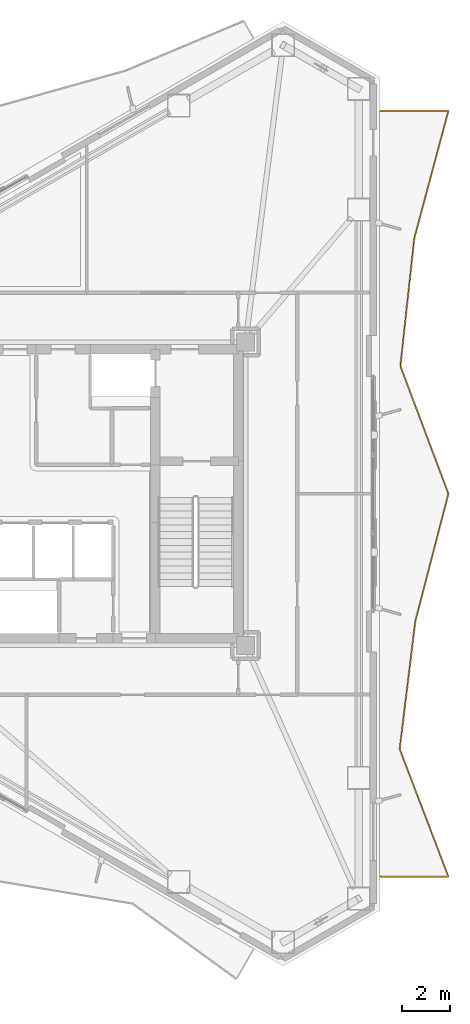
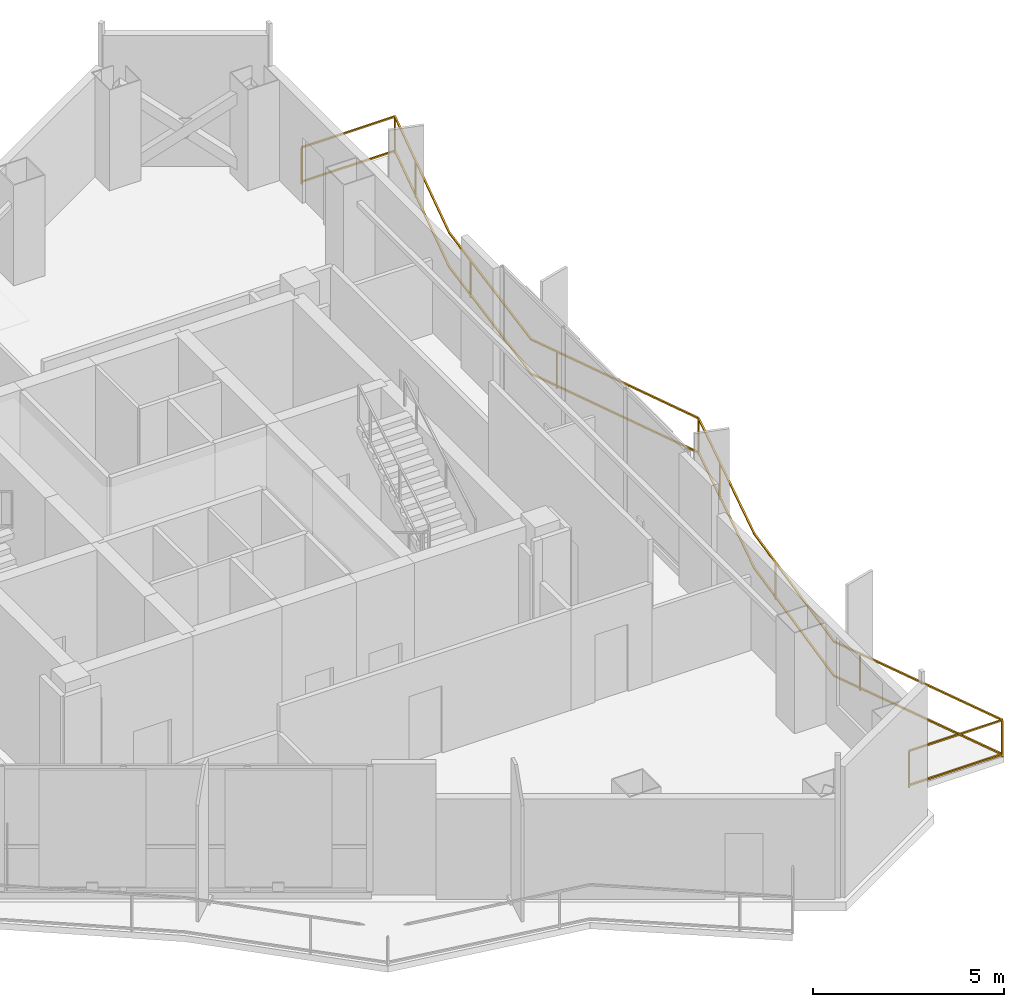
# One storey, part 18 of 18: 1 railing.
"""IFC4 building model written with IfcOpenShell, lengths in metres."""

import ifcopenshell
import ifcopenshell.guid

model = None  # the IFC model being written
_history = None  # IfcOwnerHistory: only IFC2X3 demands one
_inside = {}  # id of a spatial element -> (the spatial element, [elements in it])
_under = {}  # id of a project, library or spatial element -> (it, [spatial elements below it])
_declared = {}  # id of a project -> (the project, [libraries it declares])
_typed = {}  # id of a type object -> (the type object, [elements of that type])
_made_of = {}  # id of a material, layer set ... -> (it, [elements and type objects made of it])


def new_model(schema):
    """Start an empty IFC model of exactly this schema.

    Asked for "IFC4X3", IfcOpenShell would pick the latest addendum, in which some entities
    have other attributes; the version numbers below select the first issue.
    IFC2X3 requires an IfcOwnerHistory on every rooted entity: one is made here for all.
    """
    global model, _history
    if schema == "IFC4X3":
        model = ifcopenshell.file(schema_version=(4, 3, 0, 0))
    else:
        model = ifcopenshell.file(schema=schema)
    _inside.clear()
    _under.clear()
    _declared.clear()
    _typed.clear()
    _made_of.clear()
    _history = None
    if model.schema == "IFC2X3":
        org = make("IfcOrganization", Name="unknown")
        user = make(
            "IfcPersonAndOrganization",
            ThePerson=make("IfcPerson", FamilyName="unknown"),
            TheOrganization=org,
        )
        app = make(
            "IfcApplication",
            ApplicationDeveloper=org,
            Version="unknown",
            ApplicationFullName="unknown",
            ApplicationIdentifier="unknown",
        )
        _history = make(
            "IfcOwnerHistory",
            OwningUser=user,
            OwningApplication=app,
            ChangeAction="ADDED",
            CreationDate=0,
        )
    return model


def make(cls, **values):
    """One entity of the class cls with the attributes given. An attribute that is None is left unset."""
    return model.create_entity(
        cls, **{name: value for name, value in values.items() if value is not None}
    )


def rooted(cls, **values):
    """An entity with a GlobalId (a new one), such as an element, a storey or a relation."""
    return make(cls, GlobalId=ifcopenshell.guid.new(), OwnerHistory=_history, **values)


def si_unit(unit_type, name, prefix=None):
    """IfcSIUnit, for example si_unit("LENGTHUNIT", "METRE", prefix="MILLI")."""
    return make("IfcSIUnit", UnitType=unit_type, Prefix=prefix, Name=name)


def assignment(units):
    """IfcUnitAssignment: the units of a project."""
    return None if units is None else make("IfcUnitAssignment", Units=units)


def point(xyz):
    """IfcCartesianPoint."""
    return None if xyz is None else make("IfcCartesianPoint", Coordinates=xyz)


def direction(xyz):
    """IfcDirection."""
    return None if xyz is None else make("IfcDirection", DirectionRatios=xyz)


def frame(location, z_axis=None, x_axis=None):
    """IfcAxis2Placement3D, a coordinate frame: its origin and axes. An axis left out is left unset."""
    return make(
        "IfcAxis2Placement3D",
        Location=point(location),
        Axis=direction(z_axis),
        RefDirection=direction(x_axis),
    )


def frame_2d(location, x_axis=None):
    """IfcAxis2Placement2D, a coordinate frame in the plane: its origin and x axis."""
    return make(
        "IfcAxis2Placement2D", Location=point(location), RefDirection=direction(x_axis)
    )


def origin():
    """The frame at (0, 0, 0) with its axes left unset."""
    return frame((0.0, 0.0, 0.0))


def origin_2d():
    """The frame at (0, 0) in the plane with its x axis left unset."""
    return frame_2d((0.0, 0.0))


def place(relative_to, where):
    """IfcLocalPlacement: puts the frame where relative to a parent placement (None: the world)."""
    return make(
        "IfcLocalPlacement", PlacementRelTo=relative_to, RelativePlacement=where
    )


def context(
    kind, dimensions, precision=None, world=None, true_north=None, identifier=None
):
    """IfcGeometricRepresentationContext, for example the 3D "Model" context."""
    return make(
        "IfcGeometricRepresentationContext",
        ContextIdentifier=identifier,
        ContextType=kind,
        CoordinateSpaceDimension=dimensions,
        Precision=precision,
        WorldCoordinateSystem=world,
        TrueNorth=true_north,
    )


def subcontext(parent, identifier, kind, view, scale=None):
    """IfcGeometricRepresentationSubContext, for example "Body" below "Model"."""
    return make(
        "IfcGeometricRepresentationSubContext",
        ContextIdentifier=identifier,
        ContextType=kind,
        ParentContext=parent,
        TargetScale=scale,
        TargetView=view,
    )


def project(units=None, contexts=None):
    """IfcProject with its units and contexts."""
    return rooted(
        "IfcProject",
        Name="project",
        RepresentationContexts=contexts,
        UnitsInContext=assignment(units),
    )


def spatial(cls, under=None, at=None, **own):
    """A site, building, storey or space (cls), placed at a placement, below another one or the project."""
    s = rooted(cls, ObjectPlacement=at, **own)
    if under is not None:
        _under.setdefault(under.id(), (under, []))[1].append(s)
    return s


def profile(cls, at=None, kind="AREA", **sizes):
    """A parametric profile (cls). Its sizes go by their IFC names, for example OverallWidth=200.0."""
    return make(cls, ProfileType=kind, Position=at, **sizes)


def rectangle(**sizes):
    """IfcRectangleProfileDef."""
    return profile("IfcRectangleProfileDef", **sizes)


def extrude(swept, where, along, depth):
    """IfcExtrudedAreaSolid: the profile swept, set in the frame where, extruded along a direction by depth."""
    return make(
        "IfcExtrudedAreaSolid",
        SweptArea=swept,
        Position=where,
        ExtrudedDirection=direction(along),
        Depth=depth,
    )


def shape(context_of_items, identifier, shape_type, items):
    """IfcShapeRepresentation: the items that make up one representation, for example the "Body"."""
    return make(
        "IfcShapeRepresentation",
        ContextOfItems=context_of_items,
        RepresentationIdentifier=identifier,
        RepresentationType=shape_type,
        Items=items,
    )


def material(Name=None, Category=None):
    """IfcMaterial."""
    return make("IfcMaterial", Name=Name, Category=Category)


def made_of(thing, what):
    """Note that an element or type object is made of a material, layer set ...; save() writes the relation."""
    if what is not None:
        _made_of.setdefault(what.id(), (what, []))[1].append(thing)
    return thing


def type_object(cls, material=None, **own):
    """A type object (cls), such as IfcWallType, which elements share."""
    return made_of(rooted(cls, **own), material)


def element(
    cls,
    number,
    at=None,
    inside=None,
    cuts=None,
    type_object=None,
    material=None,
    context=None,
    identifier="Body",
    shape_type=None,
    held_by="IfcProductDefinitionShape",
    body=None,
    shapes=None,
    **own,
):
    """One element of the class cls, such as IfcWall. Its Tag is "e" and its number.

    at: its placement. inside: the storey or other place that contains it. cuts: it is an
    opening in that element (IfcRelVoidsElement). A single representation is given by context,
    identifier, shape_type and body (its items); several are given by shapes. held_by: the class
    of the entity that holds the representations. save() writes the other relations.
    """
    e = rooted(cls, Tag="e%d" % number, ObjectPlacement=at, **own)
    if body is not None:
        shapes = [shape(context, identifier, shape_type, body)]
    if shapes is not None:
        e.Representation = make(held_by, Representations=shapes)
    if inside is not None:
        _inside.setdefault(inside.id(), (inside, []))[1].append(e)
    if cuts is not None:
        rooted(
            "IfcRelVoidsElement", RelatingBuildingElement=cuts, RelatedOpeningElement=e
        )
    if type_object is not None:
        _typed.setdefault(type_object.id(), (type_object, []))[1].append(e)
    return made_of(e, material)


def aggregate(whole, parts):
    """IfcRelAggregates: a whole, such as a stair, and the parts it consists of."""
    return rooted("IfcRelAggregates", RelatingObject=whole, RelatedObjects=parts)


def save(model, path):
    """Write the relations noted so far, then the file.

    IfcRelAggregates (storeys below a building ...), IfcRelContainedInSpatialStructure (elements
    in a storey), IfcRelDefinesByType, IfcRelAssociatesMaterial and IfcRelDeclares: one each for
    every whole, place, type object, material and project.
    """
    for whole, parts in _under.values():
        aggregate(whole, parts)
    for where, things in _inside.values():
        rooted(
            "IfcRelContainedInSpatialStructure",
            RelatedElements=things,
            RelatingStructure=where,
        )
    for kind, things in _typed.values():
        rooted("IfcRelDefinesByType", RelatedObjects=things, RelatingType=kind)
    for what, things in _made_of.values():
        rooted("IfcRelAssociatesMaterial", RelatedObjects=things, RelatingMaterial=what)
    for by, libraries in _declared.values():
        rooted("IfcRelDeclares", RelatingContext=by, RelatedDefinitions=libraries)
    model.write(path)


model = new_model("IFC4")

# Units and contexts
model_context = context("Model", 3, precision=1e-05, world=origin(), true_north=direction((0.0, 1.0)))
body_context = subcontext(model_context, "Body", "Model", "MODEL_VIEW")
ifc_project = project(units=[si_unit("LENGTHUNIT", "METRE"), si_unit("AREAUNIT", "SQUARE_METRE"), si_unit("VOLUMEUNIT", "CUBIC_METRE"), si_unit("PLANEANGLEUNIT", "RADIAN"), si_unit("MASSUNIT", "GRAM", prefix="KILO")], contexts=[model_context])

# Site, building, storey
site_placement = place(None, origin())
site = spatial("IfcSite", under=ifc_project, at=site_placement, CompositionType="ELEMENT")
building_placement = place(site_placement, origin())
building = spatial("IfcBuilding", under=site, at=building_placement, Name="Mersakhor Tower and Convention Hall", CompositionType="ELEMENT")
storey_placement = place(building_placement, frame((0.0, 0.0, 170.699951171875)))
storey = spatial("IfcBuildingStorey", under=building, at=storey_placement, Name="L47", CompositionType="ELEMENT", Elevation=170.699951171875)

# Railing
ifc_material = material(Name="Powder-coated galvanised steel and laminated glass balustrade", Category="steel")
railing_type = type_object("IfcRailingType", Name="RL-BAL-1200", PredefinedType="BALUSTRADE", material=ifc_material)
railing_placement = place(storey_placement, frame((41.703857421875, 10.842041015625, 0.0)))
element("IfcRailing", 1, at=railing_placement, inside=storey, type_object=railing_type, Name="L47 Sinusoidal Balcony Balustrade F2", PredefinedType="BALUSTRADE", context=body_context, shape_type="SweptSolid", body=[
    extrude(rectangle(XDim=0.048095703125, YDim=0.048095703125, at=origin_2d()), frame((0.0, 0.0, 1.17578125), z_axis=(1.0, 0.0, 0.0), x_axis=(0.0, 1.0, 0.0)), (0.0, 0.0, 1.0), 2.81982421875),
    extrude(rectangle(XDim=0.048095703125, YDim=0.048095703125, at=origin_2d()), frame((0.0, 0.0, 0.080078125), z_axis=(1.0, 0.0, 0.0), x_axis=(0.0, 1.0, 0.0)), (0.0, 0.0, 1.0), 2.81982421875),
    extrude(rectangle(XDim=0.048095703125, YDim=0.048095703125, at=origin_2d()), frame((2.81982421875, 0.0, 1.17578125), z_axis=(-0.356810763366, 0.934176685187, 0.0), x_axis=(-0.934176685187, -0.356810763366, 0.0)), (0.0, 0.0, 1.0), 5.67626953125),
    extrude(rectangle(XDim=0.048095703125, YDim=0.048095703125, at=origin_2d()), frame((2.81982421875, 0.0, 0.080078125), z_axis=(-0.356810763366, 0.934176685187, 0.0), x_axis=(-0.934176685187, -0.356810763366, 0.0)), (0.0, 0.0, 1.0), 5.67626953125),
    extrude(rectangle(XDim=0.048095703125, YDim=0.048095703125, at=origin_2d()), frame((0.79443359375, 5.302734375, 1.17578125), z_axis=(0.121475028722, 0.992594487894, 0.0), x_axis=(-0.992594487894, 0.121475028722, 0.0)), (0.0, 0.0, 1.0), 5.342041015625),
    extrude(rectangle(XDim=0.048095703125, YDim=0.048095703125, at=origin_2d()), frame((0.79443359375, 5.302734375, 0.080078125), z_axis=(0.121475028722, 0.992594487894, 0.0), x_axis=(-0.992594487894, 0.121475028722, 0.0)), (0.0, 0.0, 1.0), 5.342041015625),
    extrude(rectangle(XDim=0.048095703125, YDim=0.048095703125, at=origin_2d()), frame((1.443359375, 10.605224609375, 1.17578125), z_axis=(0.251249806576, 0.967922277198, 0.0), x_axis=(-0.967922277198, 0.251249806576, 0.0)), (0.0, 0.0, 1.0), 5.478515625),
    extrude(rectangle(XDim=0.048095703125, YDim=0.048095703125, at=origin_2d()), frame((1.443359375, 10.605224609375, 0.080078125), z_axis=(0.251249806576, 0.967922277198, 0.0), x_axis=(-0.967922277198, 0.251249806576, 0.0)), (0.0, 0.0, 1.0), 5.478515625),
    extrude(rectangle(XDim=0.048095703125, YDim=0.048095703125, at=origin_2d()), frame((2.81982421875, 15.907958984375, 1.17578125), z_axis=(-0.352256496731, 0.935903499572, 0.0), x_axis=(-0.935903499572, -0.352256496731, 0.0)), (0.0, 0.0, 1.0), 5.666015625),
    extrude(rectangle(XDim=0.048095703125, YDim=0.048095703125, at=origin_2d()), frame((2.81982421875, 15.907958984375, 0.080078125), z_axis=(-0.352256496731, 0.935903499572, 0.0), x_axis=(-0.935903499572, -0.352256496731, 0.0)), (0.0, 0.0, 1.0), 5.666015625),
    extrude(rectangle(XDim=0.048095703125, YDim=0.048095703125, at=origin_2d()), frame((0.823974609375, 21.210693359375, 1.17578125), z_axis=(0.108160474097, 0.994133447704, 0.0), x_axis=(-0.994133447704, 0.108160474097, 0.0)), (0.0, 0.0, 1.0), 5.333740234375),
    extrude(rectangle(XDim=0.048095703125, YDim=0.048095703125, at=origin_2d()), frame((0.823974609375, 21.210693359375, 0.080078125), z_axis=(0.108160474097, 0.994133447704, 0.0), x_axis=(-0.994133447704, 0.108160474097, 0.0)), (0.0, 0.0, 1.0), 5.333740234375),
    extrude(rectangle(XDim=0.048095703125, YDim=0.048095703125, at=origin_2d()), frame((1.40087890625, 26.51318359375, 1.17578125), z_axis=(0.258493015314, 0.96601312674, 0.0), x_axis=(-0.96601312674, 0.258493015314, 0.0)), (0.0, 0.0, 1.0), 5.4892578125),
    extrude(rectangle(XDim=0.048095703125, YDim=0.048095703125, at=origin_2d()), frame((1.40087890625, 26.51318359375, 0.080078125), z_axis=(0.258493015314, 0.96601312674, 0.0), x_axis=(-0.96601312674, 0.258493015314, 0.0)), (0.0, 0.0, 1.0), 5.4892578125),
    extrude(rectangle(XDim=0.048095703125, YDim=0.048095703125, at=origin_2d()), frame((2.81982421875, 31.81591796875, 1.17578125), z_axis=(-1.0, 0.0, 0.0), x_axis=(0.0, -1.0, 0.0)), (0.0, 0.0, 1.0), 2.81982421875),
    extrude(rectangle(XDim=0.048095703125, YDim=0.048095703125, at=origin_2d()), frame((2.81982421875, 31.81591796875, 0.080078125), z_axis=(-1.0, 0.0, 0.0), x_axis=(0.0, -1.0, 0.0)), (0.0, 0.0, 1.0), 2.81982421875),
    extrude(rectangle(XDim=0.0419921875, YDim=0.0419921875, at=origin_2d()), origin(), (0.0, 0.0, 1.0), 1.15185546875),
    extrude(rectangle(XDim=0.0419921875, YDim=0.0419921875, at=origin_2d()), frame((2.81982421875, 0.0, 0.0)), (0.0, 0.0, 1.0), 1.15185546875),
    extrude(rectangle(XDim=0.0419921875, YDim=0.0419921875, at=origin_2d()), frame((1.107177734375, 4.484130859375, 0.0)), (0.0, 0.0, 1.0), 1.15185546875),
    extrude(rectangle(XDim=0.0419921875, YDim=0.0419921875, at=origin_2d()), frame((1.27099609375, 9.197265625, 0.0)), (0.0, 0.0, 1.0), 1.15185546875),
    extrude(rectangle(XDim=0.0419921875, YDim=0.0419921875, at=origin_2d()), frame((2.29296875, 13.87841796875, 0.0)), (0.0, 0.0, 1.0), 1.15185546875),
    extrude(rectangle(XDim=0.0419921875, YDim=0.0419921875, at=origin_2d()), frame((2.81982421875, 15.907958984375, 0.0)), (0.0, 0.0, 1.0), 1.15185546875),
    extrude(rectangle(XDim=0.0419921875, YDim=0.0419921875, at=origin_2d()), frame((1.12890625, 20.400390625, 0.0)), (0.0, 0.0, 1.0), 1.15185546875),
    extrude(rectangle(XDim=0.0419921875, YDim=0.0419921875, at=origin_2d()), frame((1.24951171875, 25.121826171875, 0.0)), (0.0, 0.0, 1.0), 1.15185546875),
    extrude(rectangle(XDim=0.0419921875, YDim=0.0419921875, at=origin_2d()), frame((2.27978515625, 29.7978515625, 0.0)), (0.0, 0.0, 1.0), 1.15185546875),
    extrude(rectangle(XDim=0.0419921875, YDim=0.0419921875, at=origin_2d()), frame((2.81982421875, 31.81591796875, 0.0)), (0.0, 0.0, 1.0), 1.15185546875),
    extrude(rectangle(XDim=0.0419921875, YDim=0.0419921875, at=origin_2d()), frame((0.0, 31.81591796875, 0.0)), (0.0, 0.0, 1.0), 1.15185546875),
])

save(model, "model.ifc")
